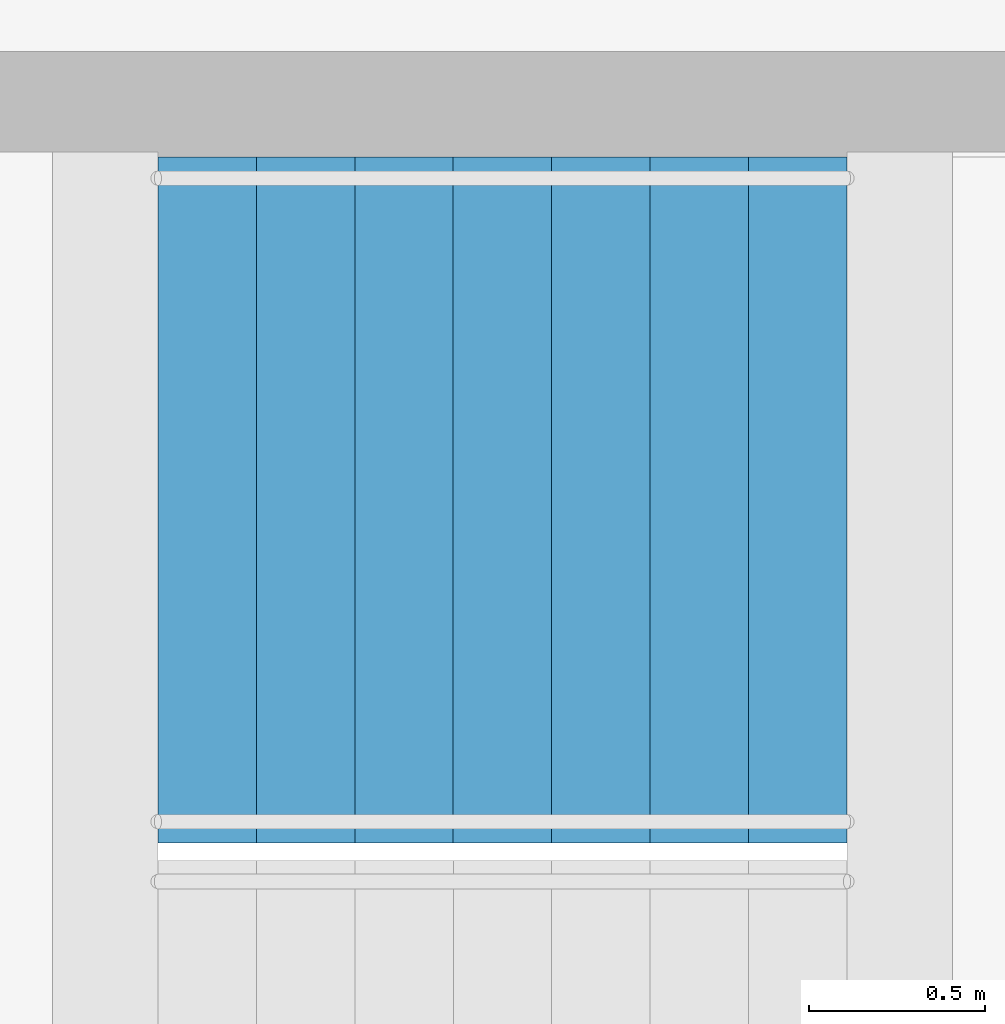
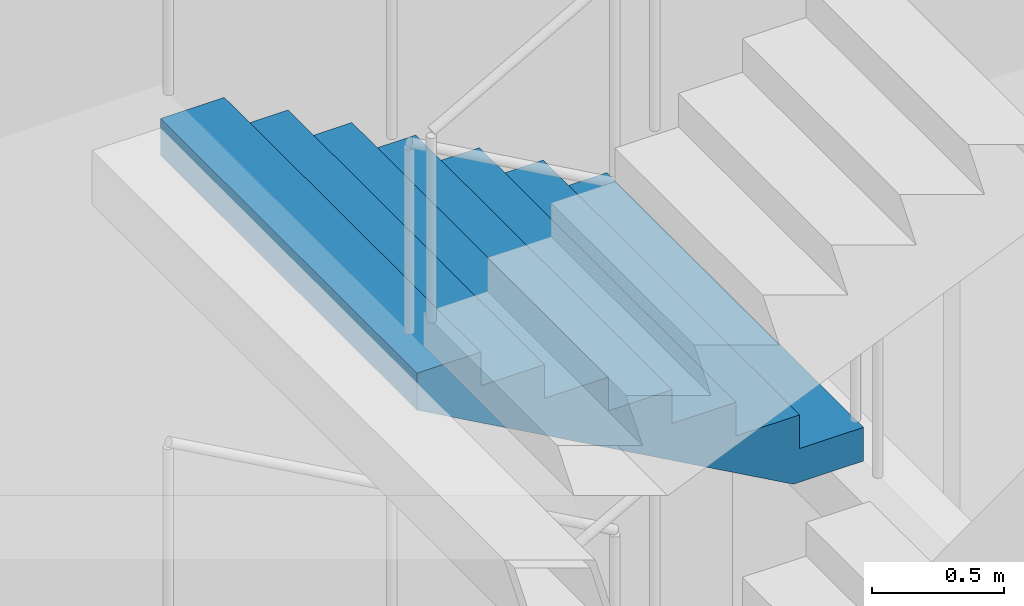
# One storey, part 25 of 26: 1 stair flight, 1 element without a shape of its own.
"""IFC4 building model written with IfcOpenShell, lengths in metres."""

from ifc_helpers import new_model, si_unit, direction, frame, origin, place, context, subcontext, project, spatial, triangles, material, type_object, element, aggregate, save


model = new_model("IFC4")

# Units and contexts
model_context = context("Model", 3, precision=1e-05, world=origin(), true_north=direction((0.0, 1.0)))
body_context = subcontext(model_context, "Body", "Model", "MODEL_VIEW")
ifc_project = project(units=[si_unit("LENGTHUNIT", "METRE"), si_unit("AREAUNIT", "SQUARE_METRE"), si_unit("VOLUMEUNIT", "CUBIC_METRE"), si_unit("PLANEANGLEUNIT", "RADIAN"), si_unit("MASSUNIT", "GRAM", prefix="KILO")], contexts=[model_context])

# Site, building, storey
site_placement = place(None, origin())
site = spatial("IfcSite", under=ifc_project, at=site_placement, CompositionType="ELEMENT")
building_placement = place(site_placement, origin())
building = spatial("IfcBuilding", under=site, at=building_placement, Name="Orbita Commons", CompositionType="ELEMENT")
storey_placement = place(building_placement, frame((0.0, 0.0, 11.0)))
storey = spatial("IfcBuildingStorey", under=building, at=storey_placement, Name="L02", CompositionType="ELEMENT", Elevation=11.0)

# Stair, stair flight
ifc_material_1 = material(Name="Precast concrete C40/50", Category="concrete")
stair_type = type_object("IfcStairType", Name="Exit stair S2 4 flights 8 risers 156", PredefinedType="HALF_TURN_STAIR", material=ifc_material_1)
stair_placement = place(storey_placement, origin())
stair = element("IfcStair", 1, at=stair_placement, inside=storey, type_object=stair_type, Name="Exit stair S2 L02", PredefinedType="HALF_TURN_STAIR")
ifc_material_2 = material(Name="Precast concrete C40/50", Category="concrete")
stair_flight_type = type_object("IfcStairFlightType", Name="Stair flight 8 risers 156 x 280", PredefinedType="STRAIGHT", material=ifc_material_2)
stair_flight_placement = place(storey_placement, frame((63.550048828125, 29.27490234375, 2.5), z_axis=(0.0, 0.0, 1.0), x_axis=(-1.0, 0.0, 0.0)))
stair_flight = element("IfcStairFlight", 2, at=stair_flight_placement, type_object=stair_flight_type, Name="S2 flight 3", NumberOfRisers=8, NumberOfTreads=7, PredefinedType="STRAIGHT", RiserHeight=0.15625, TreadLength=0.28, context=body_context, shape_type="Tessellation", body=[
    triangles([(0.0, 0.974976, 0.0), (0.0, 0.974976, 0.019531), (0.0, 0.81248, 0.019531), (0.0, 0.81248, 0.0), (0.0, 0.649984, 0.019531), (0.0, 0.649984, 0.0), (0.0, 0.487488, 0.019531), (0.0, 0.487488, 0.0), (0.0, 0.324992, 0.019531), (0.0, 0.324992, 0.0), (0.0, 0.162496, 0.019531), (0.0, 0.162496, 0.0), (0.0, 0.0, 0.019531), (0.0, 0.0, 0.0), (0.0, -0.162496, 0.019531), (0.0, -0.162496, 0.0), (0.0, -0.324992, 0.019531), (0.0, -0.324992, 0.0), (0.0, -0.487488, 0.019531), (0.0, -0.487488, 0.0), (0.0, -0.649984, 0.019531), (0.0, -0.649984, 0.0), (0.0, -0.81248, 0.019531), (0.0, -0.81248, 0.0), (0.0, -0.974976, 0.019531), (0.0, -0.974976, 0.0), (0.0, 0.974976, 0.039062), (0.0, 0.81248, 0.039062), (0.0, 0.649984, 0.039062), (0.0, 0.487488, 0.039062), (0.0, 0.324992, 0.039062), (0.0, 0.162496, 0.039062), (0.0, 0.0, 0.039062), (0.0, -0.162496, 0.039062), (0.0, -0.324992, 0.039062), (0.0, -0.487488, 0.039062), (0.0, -0.649984, 0.039062), (0.0, -0.81248, 0.039062), (0.0, -0.974976, 0.039062), (0.0, 0.974976, 0.058594), (0.0, 0.81248, 0.058594), (0.0, 0.649984, 0.058594), (0.0, 0.487488, 0.058594), (0.0, 0.324992, 0.058594), (0.0, 0.162496, 0.058594), (0.0, 0.0, 0.058594), (0.0, -0.162496, 0.058594), (0.0, -0.324992, 0.058594), (0.0, -0.487488, 0.058594), (0.0, -0.649984, 0.058594), (0.0, -0.81248, 0.058594), (0.0, -0.974976, 0.058594), (0.0, 0.974976, 0.078125), (0.0, 0.81248, 0.078125), (0.0, 0.649984, 0.078125), (0.0, 0.487488, 0.078125), (0.0, 0.324992, 0.078125), (0.0, 0.162496, 0.078125), (0.0, 0.0, 0.078125), (0.0, -0.162496, 0.078125), (0.0, -0.324992, 0.078125), (0.0, -0.487488, 0.078125), (0.0, -0.649984, 0.078125), (0.0, -0.81248, 0.078125), (0.0, -0.974976, 0.078125), (0.0, 0.974976, 0.097656), (0.0, 0.81248, 0.097656), (0.0, 0.649984, 0.097656), (0.0, 0.487488, 0.097656), (0.0, 0.324992, 0.097656), (0.0, 0.162496, 0.097656), (0.0, 0.0, 0.097656), (0.0, -0.162496, 0.097656), (0.0, -0.324992, 0.097656), (0.0, -0.487488, 0.097656), (0.0, -0.649984, 0.097656), (0.0, -0.81248, 0.097656), (0.0, -0.974976, 0.097656), (0.0, 0.974976, 0.117188), (0.0, 0.81248, 0.117188), (0.0, 0.649984, 0.117188), (0.0, 0.487488, 0.117188), (0.0, 0.324992, 0.117188), (0.0, 0.162496, 0.117188), (0.0, 0.0, 0.117188), (0.0, -0.162496, 0.117188), (0.0, -0.324992, 0.117188), (0.0, -0.487488, 0.117188), (0.0, -0.649984, 0.117188), (0.0, -0.81248, 0.117188), (0.0, -0.974976, 0.117188), (0.0, 0.974976, 0.136719), (0.0, 0.81248, 0.136719), (0.0, 0.649984, 0.136719), (0.0, 0.487488, 0.136719), (0.0, 0.324992, 0.136719), (0.0, 0.162496, 0.136719), (0.0, 0.0, 0.136719), (0.0, -0.162496, 0.136719), (0.0, -0.324992, 0.136719), (0.0, -0.487488, 0.136719), (0.0, -0.649984, 0.136719), (0.0, -0.81248, 0.136719), (0.0, -0.974976, 0.136719), (0.0, 0.974976, 0.15625), (0.0, 0.81248, 0.15625), (0.0, 0.649984, 0.15625), (0.0, 0.487488, 0.15625), (0.0, 0.324992, 0.15625), (0.0, 0.162496, 0.15625), (0.0, 0.0, 0.15625), (0.0, -0.162496, 0.15625), (0.0, -0.324992, 0.15625), (0.0, -0.487488, 0.15625), (0.0, -0.649984, 0.15625), (0.0, -0.81248, 0.15625), (0.0, -0.974976, 0.15625), (0.28, 0.974976, 0.15625), (0.28, 0.81248, 0.15625), (0.28, 0.649984, 0.15625), (0.28, 0.487488, 0.15625), (0.28, 0.324992, 0.15625), (0.28, 0.162496, 0.15625), (0.28, 0.0, 0.15625), (0.28, -0.162496, 0.15625), (0.28, -0.324992, 0.15625), (0.28, -0.487488, 0.15625), (0.28, -0.649984, 0.15625), (0.28, -0.81248, 0.15625), (0.28, -0.974976, 0.15625), (0.28, 0.974976, 0.3125), (0.28, 0.81248, 0.3125), (0.28, 0.649984, 0.3125), (0.28, 0.487488, 0.3125), (0.28, 0.324992, 0.3125), (0.28, 0.162496, 0.3125), (0.28, 0.0, 0.3125), (0.28, -0.162496, 0.3125), (0.28, -0.324992, 0.3125), (0.28, -0.487488, 0.3125), (0.28, -0.649984, 0.3125), (0.28, -0.81248, 0.3125), (0.28, -0.974976, 0.3125), (0.56, 0.974976, 0.3125), (0.56, 0.81248, 0.3125), (0.56, 0.649984, 0.3125), (0.56, 0.487488, 0.3125), (0.56, 0.324992, 0.3125), (0.56, 0.162496, 0.3125), (0.56, 0.0, 0.3125), (0.56, -0.162496, 0.3125), (0.56, -0.324992, 0.3125), (0.56, -0.487488, 0.3125), (0.56, -0.649984, 0.3125), (0.56, -0.81248, 0.3125), (0.56, -0.974976, 0.3125), (0.56, 0.974976, 0.46875), (0.56, 0.81248, 0.46875), (0.56, 0.649984, 0.46875), (0.56, 0.487488, 0.46875), (0.56, 0.324992, 0.46875), (0.56, 0.162496, 0.46875), (0.56, 0.0, 0.46875), (0.56, -0.162496, 0.46875), (0.56, -0.324992, 0.46875), (0.56, -0.487488, 0.46875), (0.56, -0.649984, 0.46875), (0.56, -0.81248, 0.46875), (0.56, -0.974976, 0.46875), (0.84, 0.974976, 0.46875), (0.84, 0.81248, 0.46875), (0.84, 0.649984, 0.46875), (0.84, 0.487488, 0.46875), (0.84, 0.324992, 0.46875), (0.84, 0.162496, 0.46875), (0.84, 0.0, 0.46875), (0.84, -0.162496, 0.46875), (0.84, -0.324992, 0.46875), (0.84, -0.487488, 0.46875), (0.84, -0.649984, 0.46875), (0.84, -0.81248, 0.46875), (0.84, -0.974976, 0.46875), (0.84, 0.974976, 0.625), (0.84, 0.81248, 0.625), (0.84, 0.649984, 0.625), (0.84, 0.487488, 0.625), (0.84, 0.324992, 0.625), (0.84, 0.162496, 0.625), (0.84, 0.0, 0.625), (0.84, -0.162496, 0.625), (0.84, -0.324992, 0.625), (0.84, -0.487488, 0.625), (0.84, -0.649984, 0.625), (0.84, -0.81248, 0.625), (0.84, -0.974976, 0.625), (1.12, 0.974976, 0.625), (1.12, 0.81248, 0.625), (1.12, 0.649984, 0.625), (1.12, 0.487488, 0.625), (1.12, 0.324992, 0.625), (1.12, 0.162496, 0.625), (1.12, 0.0, 0.625), (1.12, -0.162496, 0.625), (1.12, -0.324992, 0.625), (1.12, -0.487488, 0.625), (1.12, -0.649984, 0.625), (1.12, -0.81248, 0.625), (1.12, -0.974976, 0.625), (1.12, 0.974976, 0.78125), (1.12, 0.81248, 0.78125), (1.12, 0.649984, 0.78125), (1.12, 0.487488, 0.78125), (1.12, 0.324992, 0.78125), (1.12, 0.162496, 0.78125), (1.12, 0.0, 0.78125), (1.12, -0.162496, 0.78125), (1.12, -0.324992, 0.78125), (1.12, -0.487488, 0.78125), (1.12, -0.649984, 0.78125), (1.12, -0.81248, 0.78125), (1.12, -0.974976, 0.78125), (1.4, 0.974976, 0.78125), (1.4, 0.81248, 0.78125), (1.4, 0.649984, 0.78125), (1.4, 0.487488, 0.78125), (1.4, 0.324992, 0.78125), (1.4, 0.162496, 0.78125), (1.4, 0.0, 0.78125), (1.4, -0.162496, 0.78125), (1.4, -0.324992, 0.78125), (1.4, -0.487488, 0.78125), (1.4, -0.649984, 0.78125), (1.4, -0.81248, 0.78125), (1.4, -0.974976, 0.78125), (1.4, 0.974976, 0.9375), (1.4, 0.81248, 0.9375), (1.4, 0.649984, 0.9375), (1.4, 0.487488, 0.9375), (1.4, 0.324992, 0.9375), (1.4, 0.162496, 0.9375), (1.4, 0.0, 0.9375), (1.4, -0.162496, 0.9375), (1.4, -0.324992, 0.9375), (1.4, -0.487488, 0.9375), (1.4, -0.649984, 0.9375), (1.4, -0.81248, 0.9375), (1.4, -0.974976, 0.9375), (1.68, 0.974976, 0.9375), (1.68, 0.81248, 0.9375), (1.68, 0.649984, 0.9375), (1.68, 0.487488, 0.9375), (1.68, 0.324992, 0.9375), (1.68, 0.162496, 0.9375), (1.68, 0.0, 0.9375), (1.68, -0.162496, 0.9375), (1.68, -0.324992, 0.9375), (1.68, -0.487488, 0.9375), (1.68, -0.649984, 0.9375), (1.68, -0.81248, 0.9375), (1.68, -0.974976, 0.9375), (1.68, 0.974976, 1.09375), (1.68, 0.81248, 1.09375), (1.68, 0.649984, 1.09375), (1.68, 0.487488, 1.09375), (1.68, 0.324992, 1.09375), (1.68, 0.162496, 1.09375), (1.68, 0.0, 1.09375), (1.68, -0.162496, 1.09375), (1.68, -0.324992, 1.09375), (1.68, -0.487488, 1.09375), (1.68, -0.649984, 1.09375), (1.68, -0.81248, 1.09375), (1.68, -0.974976, 1.09375), (1.96, 0.974976, 1.09375), (1.96, 0.81248, 1.09375), (1.96, 0.649984, 1.09375), (1.96, 0.487488, 1.09375), (1.96, 0.324992, 1.09375), (1.96, 0.162496, 1.09375), (1.96, 0.0, 1.09375), (1.96, -0.162496, 1.09375), (1.96, -0.324992, 1.09375), (1.96, -0.487488, 1.09375), (1.96, -0.649984, 1.09375), (1.96, -0.81248, 1.09375), (1.96, -0.974976, 1.09375), (1.96, 0.974976, 1.072292), (1.96, 0.81248, 1.072292), (1.96, 0.649984, 1.072292), (1.96, 0.487488, 1.072292), (1.96, 0.324992, 1.072292), (1.96, 0.162496, 1.072292), (1.96, 0.0, 1.072292), (1.96, -0.162496, 1.072292), (1.96, -0.324992, 1.072292), (1.96, -0.487488, 1.072292), (1.96, -0.649984, 1.072292), (1.96, -0.81248, 1.072292), (1.96, -0.974976, 1.072292), (1.96, 0.974976, 1.050834), (1.96, 0.81248, 1.050834), (1.96, 0.649984, 1.050834), (1.96, 0.487488, 1.050834), (1.96, 0.324992, 1.050834), (1.96, 0.162496, 1.050834), (1.96, 0.0, 1.050834), (1.96, -0.162496, 1.050834), (1.96, -0.324992, 1.050834), (1.96, -0.487488, 1.050834), (1.96, -0.649984, 1.050834), (1.96, -0.81248, 1.050834), (1.96, -0.974976, 1.050834), (1.96, 0.974976, 1.029376), (1.96, 0.81248, 1.029376), (1.96, 0.649984, 1.029376), (1.96, 0.487488, 1.029376), (1.96, 0.324992, 1.029376), (1.96, 0.162496, 1.029376), (1.96, 0.0, 1.029376), (1.96, -0.162496, 1.029376), (1.96, -0.324992, 1.029376), (1.96, -0.487488, 1.029376), (1.96, -0.649984, 1.029376), (1.96, -0.81248, 1.029376), (1.96, -0.974976, 1.029376), (1.96, 0.974976, 1.007919), (1.96, 0.81248, 1.007919), (1.96, 0.649984, 1.007919), (1.96, 0.487488, 1.007919), (1.96, 0.324992, 1.007919), (1.96, 0.162496, 1.007919), (1.96, 0.0, 1.007919), (1.96, -0.162496, 1.007919), (1.96, -0.324992, 1.007919), (1.96, -0.487488, 1.007919), (1.96, -0.649984, 1.007919), (1.96, -0.81248, 1.007919), (1.96, -0.974976, 1.007919), (1.96, 0.974976, 0.986461), (1.96, 0.81248, 0.986461), (1.96, 0.649984, 0.986461), (1.96, 0.487488, 0.986461), (1.96, 0.324992, 0.986461), (1.96, 0.162496, 0.986461), (1.96, 0.0, 0.986461), (1.96, -0.162496, 0.986461), (1.96, -0.324992, 0.986461), (1.96, -0.487488, 0.986461), (1.96, -0.649984, 0.986461), (1.96, -0.81248, 0.986461), (1.96, -0.974976, 0.986461), (1.96, 0.974976, 0.965003), (1.96, 0.81248, 0.965003), (1.96, 0.649984, 0.965003), (1.96, 0.487488, 0.965003), (1.96, 0.324992, 0.965003), (1.96, 0.162496, 0.965003), (1.96, 0.0, 0.965003), (1.96, -0.162496, 0.965003), (1.96, -0.324992, 0.965003), (1.96, -0.487488, 0.965003), (1.96, -0.649984, 0.965003), (1.96, -0.81248, 0.965003), (1.96, -0.974976, 0.965003), (1.96, 0.974976, 0.943545), (1.96, 0.81248, 0.943545), (1.96, 0.649984, 0.943545), (1.96, 0.487488, 0.943545), (1.96, 0.324992, 0.943545), (1.96, 0.162496, 0.943545), (1.96, 0.0, 0.943545), (1.96, -0.162496, 0.943545), (1.96, -0.324992, 0.943545), (1.96, -0.487488, 0.943545), (1.96, -0.649984, 0.943545), (1.96, -0.81248, 0.943545), (1.96, -0.974976, 0.943545), (1.96, 0.974976, 0.922087), (1.96, 0.81248, 0.922087), (1.96, 0.649984, 0.922087), (1.96, 0.487488, 0.922087), (1.96, 0.324992, 0.922087), (1.96, 0.162496, 0.922087), (1.96, 0.0, 0.922087), (1.96, -0.162496, 0.922087), (1.96, -0.324992, 0.922087), (1.96, -0.487488, 0.922087), (1.96, -0.649984, 0.922087), (1.96, -0.81248, 0.922087), (1.96, -0.974976, 0.922087), (0.30762, 0.974976, 0.0), (0.30762, 0.81248, 0.0), (0.30762, 0.649984, 0.0), (0.30762, 0.487488, 0.0), (0.30762, 0.324992, 0.0), (0.30762, 0.162496, 0.0), (0.30762, 0.0, 0.0), (0.30762, -0.162496, 0.0), (0.30762, -0.324992, 0.0), (0.30762, -0.487488, 0.0), (0.30762, -0.649984, 0.0), (0.30762, -0.81248, 0.0), (0.30762, -0.974976, 0.0)], [[3, 2, 1], [4, 3, 1], [5, 3, 4], [6, 5, 4], [7, 5, 6], [8, 7, 6], [9, 7, 8], [10, 9, 8], [11, 9, 10], [12, 11, 10], [13, 11, 12], [14, 13, 12], [15, 13, 14], [16, 15, 14], [17, 15, 16], [18, 17, 16], [19, 17, 18], [20, 19, 18], [21, 19, 20], [22, 21, 20], [23, 21, 22], [24, 23, 22], [25, 23, 24], [26, 25, 24], [28, 27, 2], [3, 28, 2], [29, 28, 3], [5, 29, 3], [30, 29, 5], [7, 30, 5], [31, 30, 7], [9, 31, 7], [32, 31, 9], [11, 32, 9], [33, 32, 11], [13, 33, 11], [34, 33, 13], [15, 34, 13], [35, 34, 15], [17, 35, 15], [36, 35, 17], [19, 36, 17], [37, 36, 19], [21, 37, 19], [38, 37, 21], [23, 38, 21], [39, 38, 23], [25, 39, 23], [41, 40, 27], [28, 41, 27], [42, 41, 28], [29, 42, 28], [43, 42, 29], [30, 43, 29], [44, 43, 30], [31, 44, 30], [45, 44, 31], [32, 45, 31], [46, 45, 32], [33, 46, 32], [47, 46, 33], [34, 47, 33], [48, 47, 34], [35, 48, 34], [49, 48, 35], [36, 49, 35], [50, 49, 36], [37, 50, 36], [51, 50, 37], [38, 51, 37], [52, 51, 38], [39, 52, 38], [54, 53, 40], [41, 54, 40], [55, 54, 41], [42, 55, 41], [56, 55, 42], [43, 56, 42], [57, 56, 43], [44, 57, 43], [58, 57, 44], [45, 58, 44], [59, 58, 45], [46, 59, 45], [60, 59, 46], [47, 60, 46], [61, 60, 47], [48, 61, 47], [62, 61, 48], [49, 62, 48], [63, 62, 49], [50, 63, 49], [64, 63, 50], [51, 64, 50], [65, 64, 51], [52, 65, 51], [67, 66, 53], [54, 67, 53], [68, 67, 54], [55, 68, 54], [69, 68, 55], [56, 69, 55], [70, 69, 56], [57, 70, 56], [71, 70, 57], [58, 71, 57], [72, 71, 58], [59, 72, 58], [73, 72, 59], [60, 73, 59], [74, 73, 60], [61, 74, 60], [75, 74, 61], [62, 75, 61], [76, 75, 62], [63, 76, 62], [77, 76, 63], [64, 77, 63], [78, 77, 64], [65, 78, 64], [80, 79, 66], [67, 80, 66], [81, 80, 67], [68, 81, 67], [82, 81, 68], [69, 82, 68], [83, 82, 69], [70, 83, 69], [84, 83, 70], [71, 84, 70], [85, 84, 71], [72, 85, 71], [86, 85, 72], [73, 86, 72], [87, 86, 73], [74, 87, 73], [88, 87, 74], [75, 88, 74], [89, 88, 75], [76, 89, 75], [90, 89, 76], [77, 90, 76], [91, 90, 77], [78, 91, 77], [93, 92, 79], [80, 93, 79], [94, 93, 80], [81, 94, 80], [95, 94, 81], [82, 95, 81], [96, 95, 82], [83, 96, 82], [97, 96, 83], [84, 97, 83], [98, 97, 84], [85, 98, 84], [99, 98, 85], [86, 99, 85], [100, 99, 86], [87, 100, 86], [101, 100, 87], [88, 101, 87], [102, 101, 88], [89, 102, 88], [103, 102, 89], [90, 103, 89], [104, 103, 90], [91, 104, 90], [106, 105, 92], [93, 106, 92], [107, 106, 93], [94, 107, 93], [108, 107, 94], [95, 108, 94], [109, 108, 95], [96, 109, 95], [110, 109, 96], [97, 110, 96], [111, 110, 97], [98, 111, 97], [112, 111, 98], [99, 112, 98], [113, 112, 99], [100, 113, 99], [114, 113, 100], [101, 114, 100], [115, 114, 101], [102, 115, 101], [116, 115, 102], [103, 116, 102], [117, 116, 103], [104, 117, 103], [119, 118, 105], [106, 119, 105], [120, 119, 106], [107, 120, 106], [121, 120, 107], [108, 121, 107], [122, 121, 108], [109, 122, 108], [123, 122, 109], [110, 123, 109], [124, 123, 110], [111, 124, 110], [125, 124, 111], [112, 125, 111], [126, 125, 112], [113, 126, 112], [127, 126, 113], [114, 127, 113], [128, 127, 114], [115, 128, 114], [129, 128, 115], [116, 129, 115], [130, 129, 116], [117, 130, 116], [132, 131, 118], [119, 132, 118], [133, 132, 119], [120, 133, 119], [134, 133, 120], [121, 134, 120], [135, 134, 121], [122, 135, 121], [136, 135, 122], [123, 136, 122], [137, 136, 123], [124, 137, 123], [138, 137, 124], [125, 138, 124], [139, 138, 125], [126, 139, 125], [140, 139, 126], [127, 140, 126], [141, 140, 127], [128, 141, 127], [142, 141, 128], [129, 142, 128], [143, 142, 129], [130, 143, 129], [145, 144, 131], [132, 145, 131], [146, 145, 132], [133, 146, 132], [147, 146, 133], [134, 147, 133], [148, 147, 134], [135, 148, 134], [149, 148, 135], [136, 149, 135], [150, 149, 136], [137, 150, 136], [151, 150, 137], [138, 151, 137], [152, 151, 138], [139, 152, 138], [153, 152, 139], [140, 153, 139], [154, 153, 140], [141, 154, 140], [155, 154, 141], [142, 155, 141], [156, 155, 142], [143, 156, 142], [158, 157, 144], [145, 158, 144], [159, 158, 145], [146, 159, 145], [160, 159, 146], [147, 160, 146], [161, 160, 147], [148, 161, 147], [162, 161, 148], [149, 162, 148], [163, 162, 149], [150, 163, 149], [164, 163, 150], [151, 164, 150], [165, 164, 151], [152, 165, 151], [166, 165, 152], [153, 166, 152], [167, 166, 153], [154, 167, 153], [168, 167, 154], [155, 168, 154], [169, 168, 155], [156, 169, 155], [171, 170, 157], [158, 171, 157], [172, 171, 158], [159, 172, 158], [173, 172, 159], [160, 173, 159], [174, 173, 160], [161, 174, 160], [175, 174, 161], [162, 175, 161], [176, 175, 162], [163, 176, 162], [177, 176, 163], [164, 177, 163], [178, 177, 164], [165, 178, 164], [179, 178, 165], [166, 179, 165], [180, 179, 166], [167, 180, 166], [181, 180, 167], [168, 181, 167], [182, 181, 168], [169, 182, 168], [184, 183, 170], [171, 184, 170], [185, 184, 171], [172, 185, 171], [186, 185, 172], [173, 186, 172], [187, 186, 173], [174, 187, 173], [188, 187, 174], [175, 188, 174], [189, 188, 175], [176, 189, 175], [190, 189, 176], [177, 190, 176], [191, 190, 177], [178, 191, 177], [192, 191, 178], [179, 192, 178], [193, 192, 179], [180, 193, 179], [194, 193, 180], [181, 194, 180], [195, 194, 181], [182, 195, 181], [197, 196, 183], [184, 197, 183], [198, 197, 184], [185, 198, 184], [199, 198, 185], [186, 199, 185], [200, 199, 186], [187, 200, 186], [201, 200, 187], [188, 201, 187], [202, 201, 188], [189, 202, 188], [203, 202, 189], [190, 203, 189], [204, 203, 190], [191, 204, 190], [205, 204, 191], [192, 205, 191], [206, 205, 192], [193, 206, 192], [207, 206, 193], [194, 207, 193], [208, 207, 194], [195, 208, 194], [210, 209, 196], [197, 210, 196], [211, 210, 197], [198, 211, 197], [212, 211, 198], [199, 212, 198], [213, 212, 199], [200, 213, 199], [214, 213, 200], [201, 214, 200], [215, 214, 201], [202, 215, 201], [216, 215, 202], [203, 216, 202], [217, 216, 203], [204, 217, 203], [218, 217, 204], [205, 218, 204], [219, 218, 205], [206, 219, 205], [220, 219, 206], [207, 220, 206], [221, 220, 207], [208, 221, 207], [223, 222, 209], [210, 223, 209], [224, 223, 210], [211, 224, 210], [225, 224, 211], [212, 225, 211], [226, 225, 212], [213, 226, 212], [227, 226, 213], [214, 227, 213], [228, 227, 214], [215, 228, 214], [229, 228, 215], [216, 229, 215], [230, 229, 216], [217, 230, 216], [231, 230, 217], [218, 231, 217], [232, 231, 218], [219, 232, 218], [233, 232, 219], [220, 233, 219], [234, 233, 220], [221, 234, 220], [236, 235, 222], [223, 236, 222], [237, 236, 223], [224, 237, 223], [238, 237, 224], [225, 238, 224], [239, 238, 225], [226, 239, 225], [240, 239, 226], [227, 240, 226], [241, 240, 227], [228, 241, 227], [242, 241, 228], [229, 242, 228], [243, 242, 229], [230, 243, 229], [244, 243, 230], [231, 244, 230], [245, 244, 231], [232, 245, 231], [246, 245, 232], [233, 246, 232], [247, 246, 233], [234, 247, 233], [249, 248, 235], [236, 249, 235], [250, 249, 236], [237, 250, 236], [251, 250, 237], [238, 251, 237], [252, 251, 238], [239, 252, 238], [253, 252, 239], [240, 253, 239], [254, 253, 240], [241, 254, 240], [255, 254, 241], [242, 255, 241], [256, 255, 242], [243, 256, 242], [257, 256, 243], [244, 257, 243], [258, 257, 244], [245, 258, 244], [259, 258, 245], [246, 259, 245], [260, 259, 246], [247, 260, 246], [262, 261, 248], [249, 262, 248], [263, 262, 249], [250, 263, 249], [264, 263, 250], [251, 264, 250], [265, 264, 251], [252, 265, 251], [266, 265, 252], [253, 266, 252], [267, 266, 253], [254, 267, 253], [268, 267, 254], [255, 268, 254], [269, 268, 255], [256, 269, 255], [270, 269, 256], [257, 270, 256], [271, 270, 257], [258, 271, 257], [272, 271, 258], [259, 272, 258], [273, 272, 259], [260, 273, 259], [275, 274, 261], [262, 275, 261], [276, 275, 262], [263, 276, 262], [277, 276, 263], [264, 277, 263], [278, 277, 264], [265, 278, 264], [279, 278, 265], [266, 279, 265], [280, 279, 266], [267, 280, 266], [281, 280, 267], [268, 281, 267], [282, 281, 268], [269, 282, 268], [283, 282, 269], [270, 283, 269], [284, 283, 270], [271, 284, 270], [285, 284, 271], [272, 285, 271], [286, 285, 272], [273, 286, 272], [288, 287, 274], [275, 288, 274], [289, 288, 275], [276, 289, 275], [290, 289, 276], [277, 290, 276], [291, 290, 277], [278, 291, 277], [292, 291, 278], [279, 292, 278], [293, 292, 279], [280, 293, 279], [294, 293, 280], [281, 294, 280], [295, 294, 281], [282, 295, 281], [296, 295, 282], [283, 296, 282], [297, 296, 283], [284, 297, 283], [298, 297, 284], [285, 298, 284], [299, 298, 285], [286, 299, 285], [301, 300, 287], [288, 301, 287], [302, 301, 288], [289, 302, 288], [303, 302, 289], [290, 303, 289], [304, 303, 290], [291, 304, 290], [305, 304, 291], [292, 305, 291], [306, 305, 292], [293, 306, 292], [307, 306, 293], [294, 307, 293], [308, 307, 294], [295, 308, 294], [309, 308, 295], [296, 309, 295], [310, 309, 296], [297, 310, 296], [311, 310, 297], [298, 311, 297], [312, 311, 298], [299, 312, 298], [314, 313, 300], [301, 314, 300], [315, 314, 301], [302, 315, 301], [316, 315, 302], [303, 316, 302], [317, 316, 303], [304, 317, 303], [318, 317, 304], [305, 318, 304], [319, 318, 305], [306, 319, 305], [320, 319, 306], [307, 320, 306], [321, 320, 307], [308, 321, 307], [322, 321, 308], [309, 322, 308], [323, 322, 309], [310, 323, 309], [324, 323, 310], [311, 324, 310], [325, 324, 311], [312, 325, 311], [327, 326, 313], [314, 327, 313], [328, 327, 314], [315, 328, 314], [329, 328, 315], [316, 329, 315], [330, 329, 316], [317, 330, 316], [331, 330, 317], [318, 331, 317], [332, 331, 318], [319, 332, 318], [333, 332, 319], [320, 333, 319], [334, 333, 320], [321, 334, 320], [335, 334, 321], [322, 335, 321], [336, 335, 322], [323, 336, 322], [337, 336, 323], [324, 337, 323], [338, 337, 324], [325, 338, 324], [340, 339, 326], [327, 340, 326], [341, 340, 327], [328, 341, 327], [342, 341, 328], [329, 342, 328], [343, 342, 329], [330, 343, 329], [344, 343, 330], [331, 344, 330], [345, 344, 331], [332, 345, 331], [346, 345, 332], [333, 346, 332], [347, 346, 333], [334, 347, 333], [348, 347, 334], [335, 348, 334], [349, 348, 335], [336, 349, 335], [350, 349, 336], [337, 350, 336], [351, 350, 337], [338, 351, 337], [353, 352, 339], [340, 353, 339], [354, 353, 340], [341, 354, 340], [355, 354, 341], [342, 355, 341], [356, 355, 342], [343, 356, 342], [357, 356, 343], [344, 357, 343], [358, 357, 344], [345, 358, 344], [359, 358, 345], [346, 359, 345], [360, 359, 346], [347, 360, 346], [361, 360, 347], [348, 361, 347], [362, 361, 348], [349, 362, 348], [363, 362, 349], [350, 363, 349], [364, 363, 350], [351, 364, 350], [366, 365, 352], [353, 366, 352], [367, 366, 353], [354, 367, 353], [368, 367, 354], [355, 368, 354], [369, 368, 355], [356, 369, 355], [370, 369, 356], [357, 370, 356], [371, 370, 357], [358, 371, 357], [372, 371, 358], [359, 372, 358], [373, 372, 359], [360, 373, 359], [374, 373, 360], [361, 374, 360], [375, 374, 361], [362, 375, 361], [376, 375, 362], [363, 376, 362], [377, 376, 363], [364, 377, 363], [379, 378, 365], [366, 379, 365], [380, 379, 366], [367, 380, 366], [381, 380, 367], [368, 381, 367], [382, 381, 368], [369, 382, 368], [383, 382, 369], [370, 383, 369], [384, 383, 370], [371, 384, 370], [385, 384, 371], [372, 385, 371], [386, 385, 372], [373, 386, 372], [387, 386, 373], [374, 387, 373], [388, 387, 374], [375, 388, 374], [389, 388, 375], [376, 389, 375], [390, 389, 376], [377, 390, 376], [392, 391, 378], [379, 392, 378], [393, 392, 379], [380, 393, 379], [394, 393, 380], [381, 394, 380], [395, 394, 381], [382, 395, 381], [396, 395, 382], [383, 396, 382], [397, 396, 383], [384, 397, 383], [398, 397, 384], [385, 398, 384], [399, 398, 385], [386, 399, 385], [400, 399, 386], [387, 400, 386], [401, 400, 387], [388, 401, 387], [402, 401, 388], [389, 402, 388], [403, 402, 389], [390, 403, 389], [4, 1, 391], [392, 4, 391], [6, 4, 392], [393, 6, 392], [8, 6, 393], [394, 8, 393], [10, 8, 394], [395, 10, 394], [12, 10, 395], [396, 12, 395], [14, 12, 396], [397, 14, 396], [16, 14, 397], [398, 16, 397], [18, 16, 398], [399, 18, 398], [20, 18, 399], [400, 20, 399], [22, 20, 400], [401, 22, 400], [24, 22, 401], [402, 24, 401], [26, 24, 402], [403, 26, 402], [378, 391, 1], [26, 403, 390], [365, 378, 1], [26, 390, 377], [352, 365, 1], [26, 377, 364], [339, 352, 1], [26, 364, 351], [326, 339, 1], [26, 351, 338], [313, 326, 1], [26, 338, 325], [300, 313, 1], [26, 325, 312], [287, 300, 1], [26, 312, 299], [261, 274, 287], [299, 286, 273], [248, 261, 287], [299, 273, 260], [222, 235, 248], [260, 247, 234], [222, 248, 287], [299, 260, 234], [196, 209, 222], [234, 221, 208], [196, 222, 287], [299, 234, 208], [170, 183, 196], [208, 195, 182], [170, 196, 287], [299, 208, 182], [144, 157, 170], [182, 169, 156], [144, 170, 287], [299, 182, 156], [118, 131, 144], [156, 143, 130], [118, 144, 287], [299, 156, 130], [118, 287, 1], [26, 299, 130], [92, 105, 118], [130, 117, 104], [79, 92, 118], [130, 104, 91], [66, 79, 118], [130, 91, 78], [53, 66, 118], [130, 78, 65], [40, 53, 118], [130, 65, 52], [27, 40, 118], [130, 52, 39], [2, 27, 118], [130, 39, 25], [1, 2, 118], [130, 25, 26]], closed=True),
])
aggregate(stair, [stair_flight])

save(model, "model.ifc")
